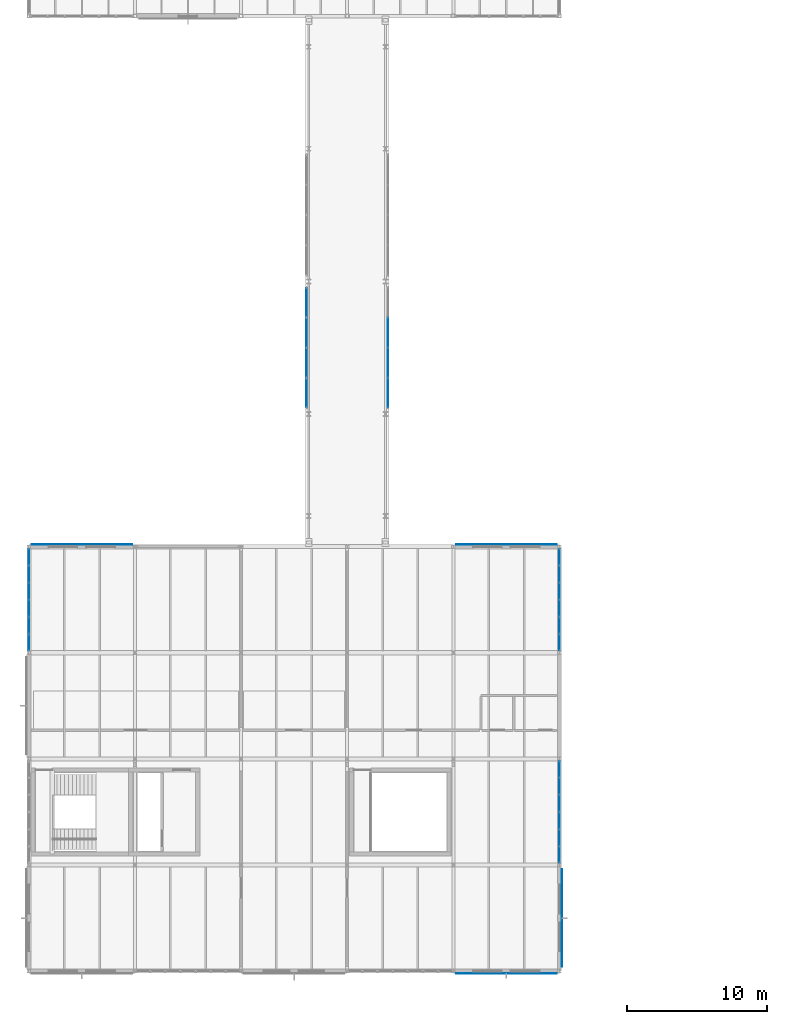
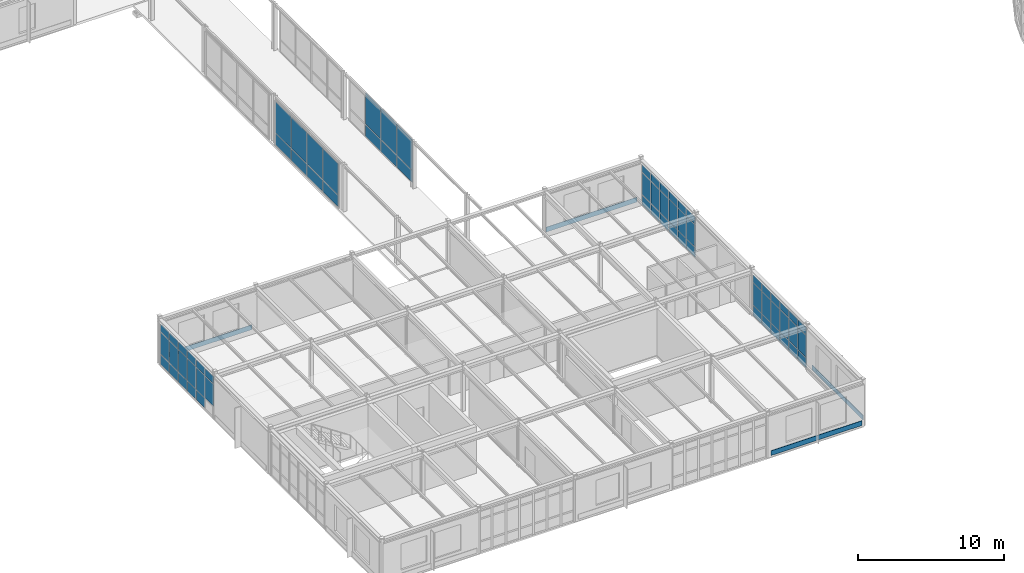
# One storey, part 138 of 189: 71 plates, 5 elements without a shape of their own.
"""IFC4 building model written with IfcOpenShell, lengths in metres."""

from ifc_helpers import new_model, si_unit, direction, frame, origin, origin_2d, place, context, subcontext, project, spatial, rectangle, extrude, material, layer, layer_set, type_object, element, aggregate, save


model = new_model("IFC4")

# Units and contexts
model_context = context("Model", 3, precision=1e-05, world=origin(), true_north=direction((0.0, 1.0)))
body_context = subcontext(model_context, "Body", "Model", "MODEL_VIEW")
ifc_project = project(units=[si_unit("LENGTHUNIT", "METRE"), si_unit("AREAUNIT", "SQUARE_METRE"), si_unit("VOLUMEUNIT", "CUBIC_METRE"), si_unit("PLANEANGLEUNIT", "RADIAN"), si_unit("MASSUNIT", "GRAM", prefix="KILO")], contexts=[model_context])

# Site, building, storey
site_placement = place(None, origin())
site = spatial("IfcSite", under=ifc_project, at=site_placement, CompositionType="ELEMENT")
building_placement = place(site_placement, origin())
building = spatial("IfcBuilding", under=site, at=building_placement, Name="Montecoro Central Library", CompositionType="ELEMENT")
storey_placement = place(building_placement, frame((0.0, 0.0, 9.179931640625)))
storey = spatial("IfcBuildingStorey", under=building, at=storey_placement, Name="L02", CompositionType="ELEMENT", Elevation=9.179931640625)

# Curtain wall, plates
ifc_material_1 = material(Name="Bronze-anodised aluminium and low-E glazing", Category="aluminium")
ifc_layer_1 = layer(ifc_material_1, 0.159912109375)
ifc_layer_set_1 = layer_set([ifc_layer_1], Name="Bronze-anodised aluminium and low-E glazing")
curtain_wall_type_1 = type_object("IfcCurtainWallType", Name="CWT-034", PredefinedType="NOTDEFINED", material=ifc_layer_set_1)
curtain_wall_1_placement = place(storey_placement, origin())
curtain_wall_1 = element("IfcCurtainWall", 1, at=curtain_wall_1_placement, inside=storey, type_object=curtain_wall_type_1, Name="V3-L02-CW-E3", PredefinedType="NOTDEFINED")
ifc_material_2 = material(Name="Laminated low-E double glazing", Category="glass")
ifc_layer_2 = layer(ifc_material_2, 0.02587890625)
ifc_layer_set_2 = layer_set([ifc_layer_2], Name="Laminated low-E double glazing")
plate_type_1 = type_object("IfcPlateType", Name="CWP-GLZ-01", PredefinedType="CURTAIN_PANEL", material=ifc_layer_set_2)
plate_1_placement = place(storey_placement, frame((43.0, 28.546630859375, 0.06005859375), z_axis=(0.0, 0.0, 1.0), x_axis=(0.0, 1.0, 0.0)))
plate_1 = element("IfcPlate", 2, at=plate_1_placement, type_object=plate_type_1, Name="CW-034 panel 1.1", PredefinedType="CURTAIN_PANEL", context=body_context, shape_type="SweptSolid", body=[
    extrude(rectangle(XDim=1.137451171875, YDim=0.02587890625, at=origin_2d()), origin(), (0.0, 0.0, 1.0), 0.81005859375),
])
plate_2_placement = place(storey_placement, frame((43.0, 28.546630859375, 0.93017578125), z_axis=(0.0, 0.0, 1.0), x_axis=(0.0, 1.0, 0.0)))
plate_2 = element("IfcPlate", 3, at=plate_2_placement, type_object=plate_type_1, Name="CW-034 panel 1.2", PredefinedType="CURTAIN_PANEL", context=body_context, shape_type="SweptSolid", body=[
    extrude(rectangle(XDim=1.137451171875, YDim=0.02587890625, at=origin_2d()), origin(), (0.0, 0.0, 1.0), 1.820068359375),
])
plate_3_placement = place(storey_placement, frame((43.0, 28.546630859375, 2.81005859375), z_axis=(0.0, 0.0, 1.0), x_axis=(0.0, 1.0, 0.0)))
plate_3 = element("IfcPlate", 4, at=plate_3_placement, type_object=plate_type_1, Name="CW-034 panel 1.3", PredefinedType="CURTAIN_PANEL", context=body_context, shape_type="SweptSolid", body=[
    extrude(rectangle(XDim=1.137451171875, YDim=0.02587890625, at=origin_2d()), origin(), (0.0, 0.0, 1.0), 0.610107421875),
])
plate_4_placement = place(storey_placement, frame((43.0, 29.759033203125, 0.06005859375), z_axis=(0.0, 0.0, 1.0), x_axis=(0.0, 1.0, 0.0)))
plate_4 = element("IfcPlate", 5, at=plate_4_placement, type_object=plate_type_1, Name="CW-034 panel 2.1", PredefinedType="CURTAIN_PANEL", context=body_context, shape_type="SweptSolid", body=[
    extrude(rectangle(XDim=1.167236328125, YDim=0.02587890625, at=origin_2d()), origin(), (0.0, 0.0, 1.0), 0.81005859375),
])
plate_5_placement = place(storey_placement, frame((43.0, 29.759033203125, 0.93017578125), z_axis=(0.0, 0.0, 1.0), x_axis=(0.0, 1.0, 0.0)))
plate_5 = element("IfcPlate", 6, at=plate_5_placement, type_object=plate_type_1, Name="CW-034 panel 2.2", PredefinedType="CURTAIN_PANEL", context=body_context, shape_type="SweptSolid", body=[
    extrude(rectangle(XDim=1.167236328125, YDim=0.02587890625, at=origin_2d()), origin(), (0.0, 0.0, 1.0), 1.820068359375),
])
plate_6_placement = place(storey_placement, frame((43.0, 29.759033203125, 2.81005859375), z_axis=(0.0, 0.0, 1.0), x_axis=(0.0, 1.0, 0.0)))
plate_6 = element("IfcPlate", 7, at=plate_6_placement, type_object=plate_type_1, Name="CW-034 panel 2.3", PredefinedType="CURTAIN_PANEL", context=body_context, shape_type="SweptSolid", body=[
    extrude(rectangle(XDim=1.167236328125, YDim=0.02587890625, at=origin_2d()), origin(), (0.0, 0.0, 1.0), 0.610107421875),
])
plate_7_placement = place(storey_placement, frame((43.0, 30.986328125, 0.06005859375), z_axis=(0.0, 0.0, 1.0), x_axis=(0.0, 1.0, 0.0)))
plate_7 = element("IfcPlate", 8, at=plate_7_placement, type_object=plate_type_1, Name="CW-034 panel 3.1", PredefinedType="CURTAIN_PANEL", context=body_context, shape_type="SweptSolid", body=[
    extrude(rectangle(XDim=1.167236328125, YDim=0.02587890625, at=origin_2d()), origin(), (0.0, 0.0, 1.0), 0.81005859375),
])
plate_8_placement = place(storey_placement, frame((43.0, 30.986328125, 0.93017578125), z_axis=(0.0, 0.0, 1.0), x_axis=(0.0, 1.0, 0.0)))
plate_8 = element("IfcPlate", 9, at=plate_8_placement, type_object=plate_type_1, Name="CW-034 panel 3.2", PredefinedType="CURTAIN_PANEL", context=body_context, shape_type="SweptSolid", body=[
    extrude(rectangle(XDim=1.167236328125, YDim=0.02587890625, at=origin_2d()), origin(), (0.0, 0.0, 1.0), 1.820068359375),
])
plate_9_placement = place(storey_placement, frame((43.0, 30.986328125, 2.81005859375), z_axis=(0.0, 0.0, 1.0), x_axis=(0.0, 1.0, 0.0)))
plate_9 = element("IfcPlate", 10, at=plate_9_placement, type_object=plate_type_1, Name="CW-034 panel 3.3", PredefinedType="CURTAIN_PANEL", context=body_context, shape_type="SweptSolid", body=[
    extrude(rectangle(XDim=1.167236328125, YDim=0.02587890625, at=origin_2d()), origin(), (0.0, 0.0, 1.0), 0.610107421875),
])
plate_10_placement = place(storey_placement, frame((43.0, 32.213623046875, 0.06005859375), z_axis=(0.0, 0.0, 1.0), x_axis=(0.0, 1.0, 0.0)))
plate_10 = element("IfcPlate", 11, at=plate_10_placement, type_object=plate_type_1, Name="CW-034 panel 4.1", PredefinedType="CURTAIN_PANEL", context=body_context, shape_type="SweptSolid", body=[
    extrude(rectangle(XDim=1.167236328125, YDim=0.02587890625, at=origin_2d()), origin(), (0.0, 0.0, 1.0), 0.81005859375),
])
plate_11_placement = place(storey_placement, frame((43.0, 32.213623046875, 0.93017578125), z_axis=(0.0, 0.0, 1.0), x_axis=(0.0, 1.0, 0.0)))
plate_11 = element("IfcPlate", 12, at=plate_11_placement, type_object=plate_type_1, Name="CW-034 panel 4.2", PredefinedType="CURTAIN_PANEL", context=body_context, shape_type="SweptSolid", body=[
    extrude(rectangle(XDim=1.167236328125, YDim=0.02587890625, at=origin_2d()), origin(), (0.0, 0.0, 1.0), 1.820068359375),
])
plate_12_placement = place(storey_placement, frame((43.0, 32.213623046875, 2.81005859375), z_axis=(0.0, 0.0, 1.0), x_axis=(0.0, 1.0, 0.0)))
plate_12 = element("IfcPlate", 13, at=plate_12_placement, type_object=plate_type_1, Name="CW-034 panel 4.3", PredefinedType="CURTAIN_PANEL", context=body_context, shape_type="SweptSolid", body=[
    extrude(rectangle(XDim=1.167236328125, YDim=0.02587890625, at=origin_2d()), origin(), (0.0, 0.0, 1.0), 0.610107421875),
])
plate_13_placement = place(storey_placement, frame((43.0, 33.44091796875, 0.06005859375), z_axis=(0.0, 0.0, 1.0), x_axis=(0.0, 1.0, 0.0)))
plate_13 = element("IfcPlate", 14, at=plate_13_placement, type_object=plate_type_1, Name="CW-034 panel 5.1", PredefinedType="CURTAIN_PANEL", context=body_context, shape_type="SweptSolid", body=[
    extrude(rectangle(XDim=1.167236328125, YDim=0.02587890625, at=origin_2d()), origin(), (0.0, 0.0, 1.0), 0.81005859375),
])
plate_14_placement = place(storey_placement, frame((43.0, 33.44091796875, 0.93017578125), z_axis=(0.0, 0.0, 1.0), x_axis=(0.0, 1.0, 0.0)))
plate_14 = element("IfcPlate", 15, at=plate_14_placement, type_object=plate_type_1, Name="CW-034 panel 5.2", PredefinedType="CURTAIN_PANEL", context=body_context, shape_type="SweptSolid", body=[
    extrude(rectangle(XDim=1.167236328125, YDim=0.02587890625, at=origin_2d()), origin(), (0.0, 0.0, 1.0), 1.820068359375),
])
plate_15_placement = place(storey_placement, frame((43.0, 33.44091796875, 2.81005859375), z_axis=(0.0, 0.0, 1.0), x_axis=(0.0, 1.0, 0.0)))
plate_15 = element("IfcPlate", 16, at=plate_15_placement, type_object=plate_type_1, Name="CW-034 panel 5.3", PredefinedType="CURTAIN_PANEL", context=body_context, shape_type="SweptSolid", body=[
    extrude(rectangle(XDim=1.167236328125, YDim=0.02587890625, at=origin_2d()), origin(), (0.0, 0.0, 1.0), 0.610107421875),
])
plate_16_placement = place(storey_placement, frame((43.0, 34.6533203125, 0.06005859375), z_axis=(0.0, 0.0, 1.0), x_axis=(0.0, 1.0, 0.0)))
plate_16 = element("IfcPlate", 17, at=plate_16_placement, type_object=plate_type_1, Name="CW-034 panel 6.1", PredefinedType="CURTAIN_PANEL", context=body_context, shape_type="SweptSolid", body=[
    extrude(rectangle(XDim=1.137451171875, YDim=0.02587890625, at=origin_2d()), origin(), (0.0, 0.0, 1.0), 0.81005859375),
])
plate_17_placement = place(storey_placement, frame((43.0, 34.6533203125, 0.93017578125), z_axis=(0.0, 0.0, 1.0), x_axis=(0.0, 1.0, 0.0)))
plate_17 = element("IfcPlate", 18, at=plate_17_placement, type_object=plate_type_1, Name="CW-034 panel 6.2", PredefinedType="CURTAIN_PANEL", context=body_context, shape_type="SweptSolid", body=[
    extrude(rectangle(XDim=1.137451171875, YDim=0.02587890625, at=origin_2d()), origin(), (0.0, 0.0, 1.0), 1.820068359375),
])
plate_18_placement = place(storey_placement, frame((43.0, 34.6533203125, 2.81005859375), z_axis=(0.0, 0.0, 1.0), x_axis=(0.0, 1.0, 0.0)))
plate_18 = element("IfcPlate", 19, at=plate_18_placement, type_object=plate_type_1, Name="CW-034 panel 6.3", PredefinedType="CURTAIN_PANEL", context=body_context, shape_type="SweptSolid", body=[
    extrude(rectangle(XDim=1.137451171875, YDim=0.02587890625, at=origin_2d()), origin(), (0.0, 0.0, 1.0), 0.610107421875),
])
aggregate(curtain_wall_1, [plate_1, plate_2, plate_3, plate_4, plate_5, plate_6, plate_7, plate_8, plate_9, plate_10, plate_11, plate_12, plate_13, plate_14, plate_15, plate_16, plate_17, plate_18])

ifc_layer_3 = layer(ifc_material_1, 0.159912109375)
ifc_layer_set_3 = layer_set([ifc_layer_3], Name="Bronze-anodised aluminium and low-E glazing")
curtain_wall_type_2 = type_object("IfcCurtainWallType", Name="CWT-035", PredefinedType="NOTDEFINED", material=ifc_layer_set_3)
curtain_wall_2_placement = place(storey_placement, origin())
curtain_wall_2 = element("IfcCurtainWall", 20, at=curtain_wall_2_placement, inside=storey, type_object=curtain_wall_type_2, Name="V3-L02-CW-W3", PredefinedType="NOTDEFINED")
plate_19_placement = place(storey_placement, frame((5.0, 34.6533203125, 0.06005859375), z_axis=(0.0, 0.0, 1.0), x_axis=(0.0, -1.0, 0.0)))
plate_19 = element("IfcPlate", 21, at=plate_19_placement, type_object=plate_type_1, Name="CW-035 panel 1.1", PredefinedType="CURTAIN_PANEL", context=body_context, shape_type="SweptSolid", body=[
    extrude(rectangle(XDim=1.137451171875, YDim=0.02587890625, at=origin_2d()), origin(), (0.0, 0.0, 1.0), 0.81005859375),
])
plate_20_placement = place(storey_placement, frame((5.0, 34.6533203125, 0.93017578125), z_axis=(0.0, 0.0, 1.0), x_axis=(0.0, -1.0, 0.0)))
plate_20 = element("IfcPlate", 22, at=plate_20_placement, type_object=plate_type_1, Name="CW-035 panel 1.2", PredefinedType="CURTAIN_PANEL", context=body_context, shape_type="SweptSolid", body=[
    extrude(rectangle(XDim=1.137451171875, YDim=0.02587890625, at=origin_2d()), origin(), (0.0, 0.0, 1.0), 1.820068359375),
])
plate_21_placement = place(storey_placement, frame((5.0, 34.6533203125, 2.81005859375), z_axis=(0.0, 0.0, 1.0), x_axis=(0.0, -1.0, 0.0)))
plate_21 = element("IfcPlate", 23, at=plate_21_placement, type_object=plate_type_1, Name="CW-035 panel 1.3", PredefinedType="CURTAIN_PANEL", context=body_context, shape_type="SweptSolid", body=[
    extrude(rectangle(XDim=1.137451171875, YDim=0.02587890625, at=origin_2d()), origin(), (0.0, 0.0, 1.0), 0.610107421875),
])
plate_22_placement = place(storey_placement, frame((5.0, 33.44091796875, 0.06005859375), z_axis=(0.0, 0.0, 1.0), x_axis=(0.0, -1.0, 0.0)))
plate_22 = element("IfcPlate", 24, at=plate_22_placement, type_object=plate_type_1, Name="CW-035 panel 2.1", PredefinedType="CURTAIN_PANEL", context=body_context, shape_type="SweptSolid", body=[
    extrude(rectangle(XDim=1.167236328125, YDim=0.02587890625, at=origin_2d()), origin(), (0.0, 0.0, 1.0), 0.81005859375),
])
plate_23_placement = place(storey_placement, frame((5.0, 33.44091796875, 0.93017578125), z_axis=(0.0, 0.0, 1.0), x_axis=(0.0, -1.0, 0.0)))
plate_23 = element("IfcPlate", 25, at=plate_23_placement, type_object=plate_type_1, Name="CW-035 panel 2.2", PredefinedType="CURTAIN_PANEL", context=body_context, shape_type="SweptSolid", body=[
    extrude(rectangle(XDim=1.167236328125, YDim=0.02587890625, at=origin_2d()), origin(), (0.0, 0.0, 1.0), 1.820068359375),
])
plate_24_placement = place(storey_placement, frame((5.0, 33.44091796875, 2.81005859375), z_axis=(0.0, 0.0, 1.0), x_axis=(0.0, -1.0, 0.0)))
plate_24 = element("IfcPlate", 26, at=plate_24_placement, type_object=plate_type_1, Name="CW-035 panel 2.3", PredefinedType="CURTAIN_PANEL", context=body_context, shape_type="SweptSolid", body=[
    extrude(rectangle(XDim=1.167236328125, YDim=0.02587890625, at=origin_2d()), origin(), (0.0, 0.0, 1.0), 0.610107421875),
])
plate_25_placement = place(storey_placement, frame((5.0, 32.213623046875, 0.06005859375), z_axis=(0.0, 0.0, 1.0), x_axis=(0.0, -1.0, 0.0)))
plate_25 = element("IfcPlate", 27, at=plate_25_placement, type_object=plate_type_1, Name="CW-035 panel 3.1", PredefinedType="CURTAIN_PANEL", context=body_context, shape_type="SweptSolid", body=[
    extrude(rectangle(XDim=1.167236328125, YDim=0.02587890625, at=origin_2d()), origin(), (0.0, 0.0, 1.0), 0.81005859375),
])
plate_26_placement = place(storey_placement, frame((5.0, 32.213623046875, 0.93017578125), z_axis=(0.0, 0.0, 1.0), x_axis=(0.0, -1.0, 0.0)))
plate_26 = element("IfcPlate", 28, at=plate_26_placement, type_object=plate_type_1, Name="CW-035 panel 3.2", PredefinedType="CURTAIN_PANEL", context=body_context, shape_type="SweptSolid", body=[
    extrude(rectangle(XDim=1.167236328125, YDim=0.02587890625, at=origin_2d()), origin(), (0.0, 0.0, 1.0), 1.820068359375),
])
plate_27_placement = place(storey_placement, frame((5.0, 32.213623046875, 2.81005859375), z_axis=(0.0, 0.0, 1.0), x_axis=(0.0, -1.0, 0.0)))
plate_27 = element("IfcPlate", 29, at=plate_27_placement, type_object=plate_type_1, Name="CW-035 panel 3.3", PredefinedType="CURTAIN_PANEL", context=body_context, shape_type="SweptSolid", body=[
    extrude(rectangle(XDim=1.167236328125, YDim=0.02587890625, at=origin_2d()), origin(), (0.0, 0.0, 1.0), 0.610107421875),
])
plate_28_placement = place(storey_placement, frame((5.0, 30.986328125, 0.06005859375), z_axis=(0.0, 0.0, 1.0), x_axis=(0.0, -1.0, 0.0)))
plate_28 = element("IfcPlate", 30, at=plate_28_placement, type_object=plate_type_1, Name="CW-035 panel 4.1", PredefinedType="CURTAIN_PANEL", context=body_context, shape_type="SweptSolid", body=[
    extrude(rectangle(XDim=1.167236328125, YDim=0.02587890625, at=origin_2d()), origin(), (0.0, 0.0, 1.0), 0.81005859375),
])
plate_29_placement = place(storey_placement, frame((5.0, 30.986328125, 0.93017578125), z_axis=(0.0, 0.0, 1.0), x_axis=(0.0, -1.0, 0.0)))
plate_29 = element("IfcPlate", 31, at=plate_29_placement, type_object=plate_type_1, Name="CW-035 panel 4.2", PredefinedType="CURTAIN_PANEL", context=body_context, shape_type="SweptSolid", body=[
    extrude(rectangle(XDim=1.167236328125, YDim=0.02587890625, at=origin_2d()), origin(), (0.0, 0.0, 1.0), 1.820068359375),
])
plate_30_placement = place(storey_placement, frame((5.0, 30.986328125, 2.81005859375), z_axis=(0.0, 0.0, 1.0), x_axis=(0.0, -1.0, 0.0)))
plate_30 = element("IfcPlate", 32, at=plate_30_placement, type_object=plate_type_1, Name="CW-035 panel 4.3", PredefinedType="CURTAIN_PANEL", context=body_context, shape_type="SweptSolid", body=[
    extrude(rectangle(XDim=1.167236328125, YDim=0.02587890625, at=origin_2d()), origin(), (0.0, 0.0, 1.0), 0.610107421875),
])
plate_31_placement = place(storey_placement, frame((5.0, 29.759033203125, 0.06005859375), z_axis=(0.0, 0.0, 1.0), x_axis=(0.0, -1.0, 0.0)))
plate_31 = element("IfcPlate", 33, at=plate_31_placement, type_object=plate_type_1, Name="CW-035 panel 5.1", PredefinedType="CURTAIN_PANEL", context=body_context, shape_type="SweptSolid", body=[
    extrude(rectangle(XDim=1.167236328125, YDim=0.02587890625, at=origin_2d()), origin(), (0.0, 0.0, 1.0), 0.81005859375),
])
plate_32_placement = place(storey_placement, frame((5.0, 29.759033203125, 0.93017578125), z_axis=(0.0, 0.0, 1.0), x_axis=(0.0, -1.0, 0.0)))
plate_32 = element("IfcPlate", 34, at=plate_32_placement, type_object=plate_type_1, Name="CW-035 panel 5.2", PredefinedType="CURTAIN_PANEL", context=body_context, shape_type="SweptSolid", body=[
    extrude(rectangle(XDim=1.167236328125, YDim=0.02587890625, at=origin_2d()), origin(), (0.0, 0.0, 1.0), 1.820068359375),
])
plate_33_placement = place(storey_placement, frame((5.0, 29.759033203125, 2.81005859375), z_axis=(0.0, 0.0, 1.0), x_axis=(0.0, -1.0, 0.0)))
plate_33 = element("IfcPlate", 35, at=plate_33_placement, type_object=plate_type_1, Name="CW-035 panel 5.3", PredefinedType="CURTAIN_PANEL", context=body_context, shape_type="SweptSolid", body=[
    extrude(rectangle(XDim=1.167236328125, YDim=0.02587890625, at=origin_2d()), origin(), (0.0, 0.0, 1.0), 0.610107421875),
])
plate_34_placement = place(storey_placement, frame((5.0, 28.546630859375, 0.93017578125), z_axis=(0.0, 0.0, 1.0), x_axis=(0.0, -1.0, 0.0)))
plate_34 = element("IfcPlate", 36, at=plate_34_placement, type_object=plate_type_1, Name="CW-035 panel 6.2", PredefinedType="CURTAIN_PANEL", context=body_context, shape_type="SweptSolid", body=[
    extrude(rectangle(XDim=1.137451171875, YDim=0.02587890625, at=origin_2d()), origin(), (0.0, 0.0, 1.0), 1.820068359375),
])
plate_35_placement = place(storey_placement, frame((5.0, 28.546630859375, 2.81005859375), z_axis=(0.0, 0.0, 1.0), x_axis=(0.0, -1.0, 0.0)))
plate_35 = element("IfcPlate", 37, at=plate_35_placement, type_object=plate_type_1, Name="CW-035 panel 6.3", PredefinedType="CURTAIN_PANEL", context=body_context, shape_type="SweptSolid", body=[
    extrude(rectangle(XDim=1.137451171875, YDim=0.02587890625, at=origin_2d()), origin(), (0.0, 0.0, 1.0), 0.610107421875),
])
aggregate(curtain_wall_2, [plate_19, plate_20, plate_21, plate_22, plate_23, plate_24, plate_25, plate_26, plate_27, plate_28, plate_29, plate_30, plate_31, plate_32, plate_33, plate_34, plate_35])

ifc_layer_4 = layer(ifc_material_1, 0.159912109375)
ifc_layer_set_4 = layer_set([ifc_layer_4], Name="Bronze-anodised aluminium and low-E glazing")
curtain_wall_type_3 = type_object("IfcCurtainWallType", Name="CWT-081", PredefinedType="NOTDEFINED", material=ifc_layer_set_4)
curtain_wall_3_placement = place(storey_placement, origin())
curtain_wall_3 = element("IfcCurtainWall", 38, at=curtain_wall_3_placement, inside=storey, type_object=curtain_wall_type_3, Name="BR-W-L02-CW-W1", PredefinedType="NOTDEFINED")
plate_36_placement = place(storey_placement, frame((24.8798828125, 46.41748046875, 0.06005859375), z_axis=(0.0, 0.0, 1.0), x_axis=(0.0, 1.0, 0.0)))
plate_36 = element("IfcPlate", 39, at=plate_36_placement, type_object=plate_type_1, Name="CW-081 panel 1.1", PredefinedType="CURTAIN_PANEL", context=body_context, shape_type="SweptSolid", body=[
    extrude(rectangle(XDim=2.074951171875, YDim=0.02587890625, at=origin_2d()), origin(), (0.0, 0.0, 1.0), 0.9599609375),
])
plate_37_placement = place(storey_placement, frame((24.8798828125, 46.41748046875, 1.080078125), z_axis=(0.0, 0.0, 1.0), x_axis=(0.0, 1.0, 0.0)))
plate_37 = element("IfcPlate", 40, at=plate_37_placement, type_object=plate_type_1, Name="CW-081 panel 1.2", PredefinedType="CURTAIN_PANEL", context=body_context, shape_type="SweptSolid", body=[
    extrude(rectangle(XDim=2.074951171875, YDim=0.02587890625, at=origin_2d()), origin(), (0.0, 0.0, 1.0), 2.590087890625),
])
plate_38_placement = place(storey_placement, frame((24.8798828125, 48.5673828125, 0.06005859375), z_axis=(0.0, 0.0, 1.0), x_axis=(0.0, 1.0, 0.0)))
plate_38 = element("IfcPlate", 41, at=plate_38_placement, type_object=plate_type_1, Name="CW-081 panel 2.1", PredefinedType="CURTAIN_PANEL", context=body_context, shape_type="SweptSolid", body=[
    extrude(rectangle(XDim=2.10498046875, YDim=0.02587890625, at=origin_2d()), origin(), (0.0, 0.0, 1.0), 0.9599609375),
])
plate_39_placement = place(storey_placement, frame((24.8798828125, 48.5673828125, 1.080078125), z_axis=(0.0, 0.0, 1.0), x_axis=(0.0, 1.0, 0.0)))
plate_39 = element("IfcPlate", 42, at=plate_39_placement, type_object=plate_type_1, Name="CW-081 panel 2.2", PredefinedType="CURTAIN_PANEL", context=body_context, shape_type="SweptSolid", body=[
    extrude(rectangle(XDim=2.10498046875, YDim=0.02587890625, at=origin_2d()), origin(), (0.0, 0.0, 1.0), 2.590087890625),
])
plate_40_placement = place(storey_placement, frame((24.8798828125, 50.732421875, 0.06005859375), z_axis=(0.0, 0.0, 1.0), x_axis=(0.0, 1.0, 0.0)))
plate_40 = element("IfcPlate", 43, at=plate_40_placement, type_object=plate_type_1, Name="CW-081 panel 3.1", PredefinedType="CURTAIN_PANEL", context=body_context, shape_type="SweptSolid", body=[
    extrude(rectangle(XDim=2.10498046875, YDim=0.02587890625, at=origin_2d()), origin(), (0.0, 0.0, 1.0), 0.9599609375),
])
plate_41_placement = place(storey_placement, frame((24.8798828125, 50.732421875, 1.080078125), z_axis=(0.0, 0.0, 1.0), x_axis=(0.0, 1.0, 0.0)))
plate_41 = element("IfcPlate", 44, at=plate_41_placement, type_object=plate_type_1, Name="CW-081 panel 3.2", PredefinedType="CURTAIN_PANEL", context=body_context, shape_type="SweptSolid", body=[
    extrude(rectangle(XDim=2.10498046875, YDim=0.02587890625, at=origin_2d()), origin(), (0.0, 0.0, 1.0), 2.590087890625),
])
plate_42_placement = place(storey_placement, frame((24.8798828125, 52.882568359375, 0.06005859375), z_axis=(0.0, 0.0, 1.0), x_axis=(0.0, 1.0, 0.0)))
plate_42 = element("IfcPlate", 45, at=plate_42_placement, type_object=plate_type_1, Name="CW-081 panel 4.1", PredefinedType="CURTAIN_PANEL", context=body_context, shape_type="SweptSolid", body=[
    extrude(rectangle(XDim=2.074951171875, YDim=0.02587890625, at=origin_2d()), origin(), (0.0, 0.0, 1.0), 0.9599609375),
])
plate_43_placement = place(storey_placement, frame((24.8798828125, 52.882568359375, 1.080078125), z_axis=(0.0, 0.0, 1.0), x_axis=(0.0, 1.0, 0.0)))
plate_43 = element("IfcPlate", 46, at=plate_43_placement, type_object=plate_type_1, Name="CW-081 panel 4.2", PredefinedType="CURTAIN_PANEL", context=body_context, shape_type="SweptSolid", body=[
    extrude(rectangle(XDim=2.074951171875, YDim=0.02587890625, at=origin_2d()), origin(), (0.0, 0.0, 1.0), 2.590087890625),
])
aggregate(curtain_wall_3, [plate_36, plate_37, plate_38, plate_39, plate_40, plate_41, plate_42, plate_43])

curtain_wall_4_placement = place(storey_placement, origin())
curtain_wall_4 = element("IfcCurtainWall", 47, at=curtain_wall_4_placement, inside=storey, type_object=curtain_wall_type_3, Name="BR-W-L02-CW-E1", PredefinedType="NOTDEFINED")
plate_44_placement = place(storey_placement, frame((30.719970703125, 46.41748046875, 0.06005859375), z_axis=(0.0, 0.0, 1.0), x_axis=(0.0, 1.0, 0.0)))
plate_44 = element("IfcPlate", 48, at=plate_44_placement, type_object=plate_type_1, Name="CW-081 panel 1.1", PredefinedType="CURTAIN_PANEL", context=body_context, shape_type="SweptSolid", body=[
    extrude(rectangle(XDim=2.074951171875, YDim=0.02587890625, at=origin_2d()), origin(), (0.0, 0.0, 1.0), 0.9599609375),
])
plate_45_placement = place(storey_placement, frame((30.719970703125, 46.41748046875, 1.080078125), z_axis=(0.0, 0.0, 1.0), x_axis=(0.0, 1.0, 0.0)))
plate_45 = element("IfcPlate", 49, at=plate_45_placement, type_object=plate_type_1, Name="CW-081 panel 1.2", PredefinedType="CURTAIN_PANEL", context=body_context, shape_type="SweptSolid", body=[
    extrude(rectangle(XDim=2.074951171875, YDim=0.02587890625, at=origin_2d()), origin(), (0.0, 0.0, 1.0), 2.590087890625),
])
plate_46_placement = place(storey_placement, frame((30.719970703125, 48.5673828125, 0.06005859375), z_axis=(0.0, 0.0, 1.0), x_axis=(0.0, 1.0, 0.0)))
plate_46 = element("IfcPlate", 50, at=plate_46_placement, type_object=plate_type_1, Name="CW-081 panel 2.1", PredefinedType="CURTAIN_PANEL", context=body_context, shape_type="SweptSolid", body=[
    extrude(rectangle(XDim=2.10498046875, YDim=0.02587890625, at=origin_2d()), origin(), (0.0, 0.0, 1.0), 0.9599609375),
])
plate_47_placement = place(storey_placement, frame((30.719970703125, 48.5673828125, 1.080078125), z_axis=(0.0, 0.0, 1.0), x_axis=(0.0, 1.0, 0.0)))
plate_47 = element("IfcPlate", 51, at=plate_47_placement, type_object=plate_type_1, Name="CW-081 panel 2.2", PredefinedType="CURTAIN_PANEL", context=body_context, shape_type="SweptSolid", body=[
    extrude(rectangle(XDim=2.10498046875, YDim=0.02587890625, at=origin_2d()), origin(), (0.0, 0.0, 1.0), 2.590087890625),
])
plate_48_placement = place(storey_placement, frame((30.719970703125, 50.732421875, 0.06005859375), z_axis=(0.0, 0.0, 1.0), x_axis=(0.0, 1.0, 0.0)))
plate_48 = element("IfcPlate", 52, at=plate_48_placement, type_object=plate_type_1, Name="CW-081 panel 3.1", PredefinedType="CURTAIN_PANEL", context=body_context, shape_type="SweptSolid", body=[
    extrude(rectangle(XDim=2.10498046875, YDim=0.02587890625, at=origin_2d()), origin(), (0.0, 0.0, 1.0), 0.9599609375),
])
plate_49_placement = place(storey_placement, frame((30.719970703125, 50.732421875, 1.080078125), z_axis=(0.0, 0.0, 1.0), x_axis=(0.0, 1.0, 0.0)))
plate_49 = element("IfcPlate", 53, at=plate_49_placement, type_object=plate_type_1, Name="CW-081 panel 3.2", PredefinedType="CURTAIN_PANEL", context=body_context, shape_type="SweptSolid", body=[
    extrude(rectangle(XDim=2.10498046875, YDim=0.02587890625, at=origin_2d()), origin(), (0.0, 0.0, 1.0), 2.590087890625),
])
aggregate(curtain_wall_4, [plate_44, plate_45, plate_46, plate_47, plate_48, plate_49])

curtain_wall_5_placement = place(storey_placement, origin())
curtain_wall_5 = element("IfcCurtainWall", 54, at=curtain_wall_5_placement, inside=storey, type_object=curtain_wall_type_1, Name="V3-L02-CW-E1", PredefinedType="NOTDEFINED")
ifc_layer_5 = layer(ifc_material_2, 0.0380859375)
ifc_layer_set_5 = layer_set([ifc_layer_5], Name="Laminated low-E double glazing")
plate_type_2 = type_object("IfcPlateType", Name="CWP-GLZ-04", PredefinedType="CURTAIN_PANEL", material=ifc_layer_set_5)
plate_50_placement = place(storey_placement, frame((43.0, 13.3466796875, 0.06005859375), z_axis=(0.0, 0.0, 1.0), x_axis=(0.0, 1.0, 0.0)))
plate_50 = element("IfcPlate", 55, at=plate_50_placement, type_object=plate_type_2, Name="CW-034 panel 1.1", PredefinedType="CURTAIN_PANEL", context=body_context, shape_type="SweptSolid", body=[
    extrude(rectangle(XDim=1.137451171875, YDim=0.0380859375, at=origin_2d()), origin(), (0.0, 0.0, 1.0), 0.81005859375),
])
plate_51_placement = place(storey_placement, frame((43.0, 13.3466796875, 0.93017578125), z_axis=(0.0, 0.0, 1.0), x_axis=(0.0, 1.0, 0.0)))
plate_51 = element("IfcPlate", 56, at=plate_51_placement, type_object=plate_type_2, Name="CW-034 panel 1.2", PredefinedType="CURTAIN_PANEL", context=body_context, shape_type="SweptSolid", body=[
    extrude(rectangle(XDim=1.137451171875, YDim=0.0380859375, at=origin_2d()), origin(), (0.0, 0.0, 1.0), 1.820068359375),
])
plate_52_placement = place(storey_placement, frame((43.0, 13.3466796875, 2.81005859375), z_axis=(0.0, 0.0, 1.0), x_axis=(0.0, 1.0, 0.0)))
plate_52 = element("IfcPlate", 57, at=plate_52_placement, type_object=plate_type_2, Name="CW-034 panel 1.3", PredefinedType="CURTAIN_PANEL", context=body_context, shape_type="SweptSolid", body=[
    extrude(rectangle(XDim=1.137451171875, YDim=0.0380859375, at=origin_2d()), origin(), (0.0, 0.0, 1.0), 0.610107421875),
])
plate_53_placement = place(storey_placement, frame((43.0, 14.55908203125, 0.06005859375), z_axis=(0.0, 0.0, 1.0), x_axis=(0.0, 1.0, 0.0)))
plate_53 = element("IfcPlate", 58, at=plate_53_placement, type_object=plate_type_2, Name="CW-034 panel 2.1", PredefinedType="CURTAIN_PANEL", context=body_context, shape_type="SweptSolid", body=[
    extrude(rectangle(XDim=1.167236328125, YDim=0.0380859375, at=origin_2d()), origin(), (0.0, 0.0, 1.0), 0.81005859375),
])
plate_54_placement = place(storey_placement, frame((43.0, 14.55908203125, 0.93017578125), z_axis=(0.0, 0.0, 1.0), x_axis=(0.0, 1.0, 0.0)))
plate_54 = element("IfcPlate", 59, at=plate_54_placement, type_object=plate_type_2, Name="CW-034 panel 2.2", PredefinedType="CURTAIN_PANEL", context=body_context, shape_type="SweptSolid", body=[
    extrude(rectangle(XDim=1.167236328125, YDim=0.0380859375, at=origin_2d()), origin(), (0.0, 0.0, 1.0), 1.820068359375),
])
plate_55_placement = place(storey_placement, frame((43.0, 14.55908203125, 2.81005859375), z_axis=(0.0, 0.0, 1.0), x_axis=(0.0, 1.0, 0.0)))
plate_55 = element("IfcPlate", 60, at=plate_55_placement, type_object=plate_type_2, Name="CW-034 panel 2.3", PredefinedType="CURTAIN_PANEL", context=body_context, shape_type="SweptSolid", body=[
    extrude(rectangle(XDim=1.167236328125, YDim=0.0380859375, at=origin_2d()), origin(), (0.0, 0.0, 1.0), 0.610107421875),
])
plate_56_placement = place(storey_placement, frame((43.0, 15.786376953125, 0.06005859375), z_axis=(0.0, 0.0, 1.0), x_axis=(0.0, 1.0, 0.0)))
plate_56 = element("IfcPlate", 61, at=plate_56_placement, type_object=plate_type_2, Name="CW-034 panel 3.1", PredefinedType="CURTAIN_PANEL", context=body_context, shape_type="SweptSolid", body=[
    extrude(rectangle(XDim=1.167236328125, YDim=0.0380859375, at=origin_2d()), origin(), (0.0, 0.0, 1.0), 0.81005859375),
])
plate_57_placement = place(storey_placement, frame((43.0, 15.786376953125, 0.93017578125), z_axis=(0.0, 0.0, 1.0), x_axis=(0.0, 1.0, 0.0)))
plate_57 = element("IfcPlate", 62, at=plate_57_placement, type_object=plate_type_2, Name="CW-034 panel 3.2", PredefinedType="CURTAIN_PANEL", context=body_context, shape_type="SweptSolid", body=[
    extrude(rectangle(XDim=1.167236328125, YDim=0.0380859375, at=origin_2d()), origin(), (0.0, 0.0, 1.0), 1.820068359375),
])
plate_58_placement = place(storey_placement, frame((43.0, 15.786376953125, 2.81005859375), z_axis=(0.0, 0.0, 1.0), x_axis=(0.0, 1.0, 0.0)))
plate_58 = element("IfcPlate", 63, at=plate_58_placement, type_object=plate_type_2, Name="CW-034 panel 3.3", PredefinedType="CURTAIN_PANEL", context=body_context, shape_type="SweptSolid", body=[
    extrude(rectangle(XDim=1.167236328125, YDim=0.0380859375, at=origin_2d()), origin(), (0.0, 0.0, 1.0), 0.610107421875),
])
plate_59_placement = place(storey_placement, frame((43.0, 17.013671875, 0.06005859375), z_axis=(0.0, 0.0, 1.0), x_axis=(0.0, 1.0, 0.0)))
plate_59 = element("IfcPlate", 64, at=plate_59_placement, type_object=plate_type_2, Name="CW-034 panel 4.1", PredefinedType="CURTAIN_PANEL", context=body_context, shape_type="SweptSolid", body=[
    extrude(rectangle(XDim=1.167236328125, YDim=0.0380859375, at=origin_2d()), origin(), (0.0, 0.0, 1.0), 0.81005859375),
])
plate_60_placement = place(storey_placement, frame((43.0, 17.013671875, 0.93017578125), z_axis=(0.0, 0.0, 1.0), x_axis=(0.0, 1.0, 0.0)))
plate_60 = element("IfcPlate", 65, at=plate_60_placement, type_object=plate_type_2, Name="CW-034 panel 4.2", PredefinedType="CURTAIN_PANEL", context=body_context, shape_type="SweptSolid", body=[
    extrude(rectangle(XDim=1.167236328125, YDim=0.0380859375, at=origin_2d()), origin(), (0.0, 0.0, 1.0), 1.820068359375),
])
plate_61_placement = place(storey_placement, frame((43.0, 17.013671875, 2.81005859375), z_axis=(0.0, 0.0, 1.0), x_axis=(0.0, 1.0, 0.0)))
plate_61 = element("IfcPlate", 66, at=plate_61_placement, type_object=plate_type_2, Name="CW-034 panel 4.3", PredefinedType="CURTAIN_PANEL", context=body_context, shape_type="SweptSolid", body=[
    extrude(rectangle(XDim=1.167236328125, YDim=0.0380859375, at=origin_2d()), origin(), (0.0, 0.0, 1.0), 0.610107421875),
])
plate_62_placement = place(storey_placement, frame((43.0, 18.240966796875, 0.06005859375), z_axis=(0.0, 0.0, 1.0), x_axis=(0.0, 1.0, 0.0)))
plate_62 = element("IfcPlate", 67, at=plate_62_placement, type_object=plate_type_2, Name="CW-034 panel 5.1", PredefinedType="CURTAIN_PANEL", context=body_context, shape_type="SweptSolid", body=[
    extrude(rectangle(XDim=1.167236328125, YDim=0.0380859375, at=origin_2d()), origin(), (0.0, 0.0, 1.0), 0.81005859375),
])
plate_63_placement = place(storey_placement, frame((43.0, 18.240966796875, 0.93017578125), z_axis=(0.0, 0.0, 1.0), x_axis=(0.0, 1.0, 0.0)))
plate_63 = element("IfcPlate", 68, at=plate_63_placement, type_object=plate_type_2, Name="CW-034 panel 5.2", PredefinedType="CURTAIN_PANEL", context=body_context, shape_type="SweptSolid", body=[
    extrude(rectangle(XDim=1.167236328125, YDim=0.0380859375, at=origin_2d()), origin(), (0.0, 0.0, 1.0), 1.820068359375),
])
plate_64_placement = place(storey_placement, frame((43.0, 18.240966796875, 2.81005859375), z_axis=(0.0, 0.0, 1.0), x_axis=(0.0, 1.0, 0.0)))
plate_64 = element("IfcPlate", 69, at=plate_64_placement, type_object=plate_type_2, Name="CW-034 panel 5.3", PredefinedType="CURTAIN_PANEL", context=body_context, shape_type="SweptSolid", body=[
    extrude(rectangle(XDim=1.167236328125, YDim=0.0380859375, at=origin_2d()), origin(), (0.0, 0.0, 1.0), 0.610107421875),
])
plate_65_placement = place(storey_placement, frame((43.0, 19.453369140625, 0.06005859375), z_axis=(0.0, 0.0, 1.0), x_axis=(0.0, 1.0, 0.0)))
plate_65 = element("IfcPlate", 70, at=plate_65_placement, type_object=plate_type_2, Name="CW-034 panel 6.1", PredefinedType="CURTAIN_PANEL", context=body_context, shape_type="SweptSolid", body=[
    extrude(rectangle(XDim=1.137451171875, YDim=0.0380859375, at=origin_2d()), origin(), (0.0, 0.0, 1.0), 0.81005859375),
])
plate_66_placement = place(storey_placement, frame((43.0, 19.453369140625, 0.93017578125), z_axis=(0.0, 0.0, 1.0), x_axis=(0.0, 1.0, 0.0)))
plate_66 = element("IfcPlate", 71, at=plate_66_placement, type_object=plate_type_2, Name="CW-034 panel 6.2", PredefinedType="CURTAIN_PANEL", context=body_context, shape_type="SweptSolid", body=[
    extrude(rectangle(XDim=1.137451171875, YDim=0.0380859375, at=origin_2d()), origin(), (0.0, 0.0, 1.0), 1.820068359375),
])
plate_67_placement = place(storey_placement, frame((43.0, 19.453369140625, 2.81005859375), z_axis=(0.0, 0.0, 1.0), x_axis=(0.0, 1.0, 0.0)))
plate_67 = element("IfcPlate", 72, at=plate_67_placement, type_object=plate_type_2, Name="CW-034 panel 6.3", PredefinedType="CURTAIN_PANEL", context=body_context, shape_type="SweptSolid", body=[
    extrude(rectangle(XDim=1.137451171875, YDim=0.0380859375, at=origin_2d()), origin(), (0.0, 0.0, 1.0), 0.610107421875),
])
aggregate(curtain_wall_5, [plate_50, plate_51, plate_52, plate_53, plate_54, plate_55, plate_56, plate_57, plate_58, plate_59, plate_60, plate_61, plate_62, plate_63, plate_64, plate_65, plate_66, plate_67])

# Plates
ifc_material_3 = material(Name="Architectural bronze spandrel plate", Category="aluminium")
ifc_layer_6 = layer(ifc_material_3, 0.035888671875)
ifc_layer_set_6 = layer_set([ifc_layer_6], Name="Architectural bronze spandrel plate")
plate_type_3 = type_object("IfcPlateType", Name="PLT-SPN-03", PredefinedType="SHEET", material=ifc_layer_set_6)
plate_68_placement = place(storey_placement, frame((39.199951171875, 4.826904296875, 0.16015625), z_axis=(0.0, 0.0, 1.0), x_axis=(1.0, 0.0, 0.0)))
element("IfcPlate", 73, at=plate_68_placement, inside=storey, type_object=plate_type_3, Name="V3-L02-SPN-S4", PredefinedType="SHEET", context=body_context, shape_type="SweptSolid", body=[
    extrude(rectangle(XDim=7.19189453125, YDim=0.035888671875, at=origin_2d()), origin(), (0.0, 0.0, 1.0), 0.39990234375),
])
plate_69_placement = place(storey_placement, frame((43.173095703125, 8.800048828125, 0.16015625), z_axis=(0.0, 0.0, 1.0), x_axis=(0.0, 1.0, 0.0)))
element("IfcPlate", 74, at=plate_69_placement, inside=storey, type_object=plate_type_3, Name="V3-L02-SPN-E0", PredefinedType="SHEET", context=body_context, shape_type="SweptSolid", body=[
    extrude(rectangle(XDim=6.964111328125, YDim=0.035888671875, at=origin_2d()), origin(), (0.0, 0.0, 1.0), 0.39990234375),
])
for number, where, z_axis, x_axis, name in (
    (75, (39.199951171875, 35.572998046875, 0.16015625), (0.0, 0.0, 1.0), (-1.0, 0.0, 0.0), "V3-L02-SPN-N4"),
    (76, (8.800048828125, 35.572998046875, 0.16015625), (0.0, 0.0, 1.0), (-1.0, 0.0, 0.0), "V3-L02-SPN-N0"),
):
    element("IfcPlate", number, at=place(storey_placement, frame(where, z_axis=z_axis, x_axis=x_axis)), inside=storey, type_object=plate_type_3, Name=name, PredefinedType="SHEET", context=body_context, shape_type="SweptSolid", body=[
        extrude(rectangle(XDim=7.19189453125, YDim=0.035888671875, at=origin_2d()), origin(), (0.0, 0.0, 1.0), 0.39990234375),
    ])

save(model, "model.ifc")
